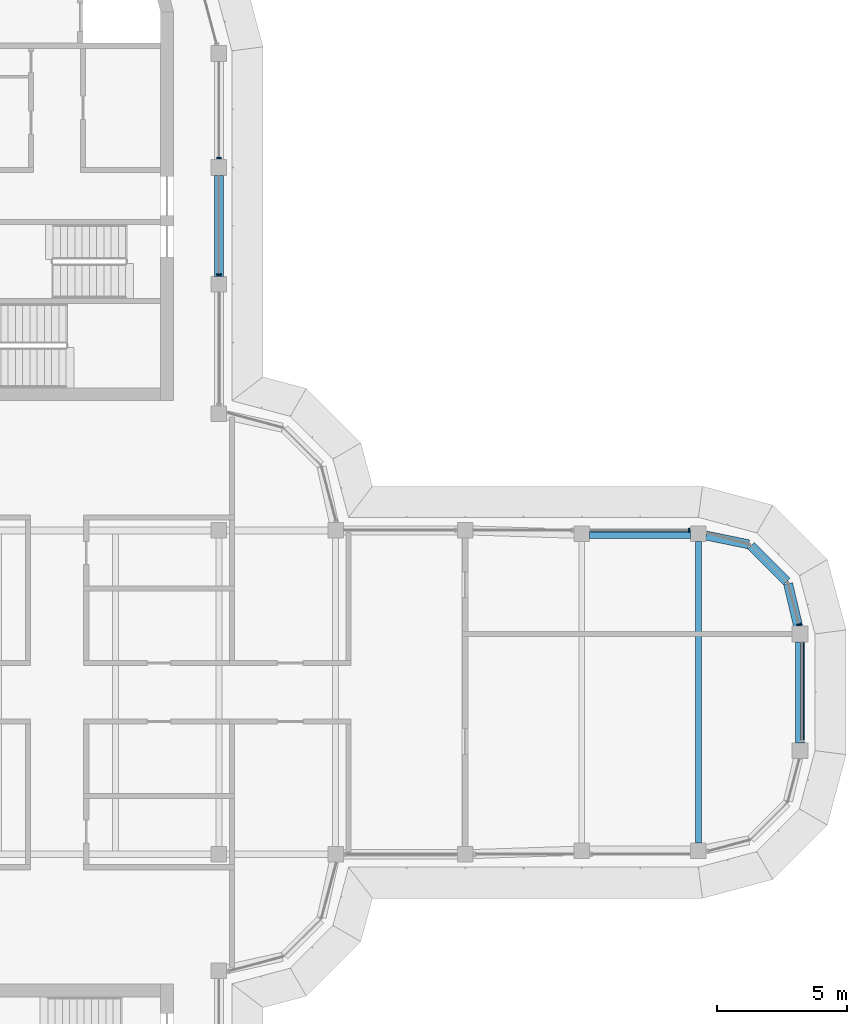
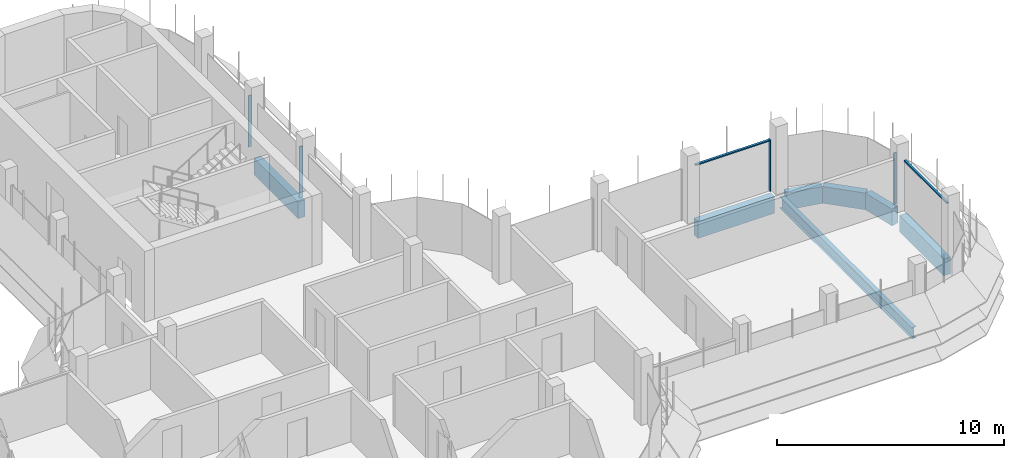
# One storey, part 9 of 19: 7 beams, 6 members, 4 elements without a shape of their own.
"""IFC4 building model written with IfcOpenShell, lengths in metres."""

from ifc_helpers import new_model, si_unit, direction, frame, origin, origin_2d, place, context, subcontext, project, spatial, polyline, rectangle, i_section, outline, extrude, source, transform, mapped, material, material_profile, profile_set, type_object, element, aggregate, save


model = new_model("IFC4")

# Units and contexts
model_context = context("Model", 3, precision=1e-05, world=origin(), true_north=direction((0.0, 1.0)))
body_context = subcontext(model_context, "Body", "Model", "MODEL_VIEW")
ifc_project = project(units=[si_unit("LENGTHUNIT", "METRE"), si_unit("AREAUNIT", "SQUARE_METRE"), si_unit("VOLUMEUNIT", "CUBIC_METRE"), si_unit("PLANEANGLEUNIT", "RADIAN"), si_unit("MASSUNIT", "GRAM", prefix="KILO")], contexts=[model_context])

# Site, building, storey
site_placement = place(None, origin())
site = spatial("IfcSite", under=ifc_project, at=site_placement, CompositionType="ELEMENT")
building_placement = place(site_placement, origin())
building = spatial("IfcBuilding", under=site, at=building_placement, Name="Zarbagh Exchange Tower", CompositionType="ELEMENT")
storey_placement = place(building_placement, frame((0.0, 0.0, 272.60009765625)))
storey = spatial("IfcBuildingStorey", under=building, at=storey_placement, Name="L67", CompositionType="ELEMENT", Elevation=272.60009765625)

# Beams
ifc_material_1 = material(Name="Steel ASTM A992 Gr 50", Category="steel")
ifc_material_profile_1 = material_profile(ifc_material_1, i_section(OverallWidth=0.228271484375, OverallDepth=0.607177734375, WebThickness=0.01123046875, FlangeThickness=0.017333984375, at=origin_2d()), Name="W24X76")
ifc_profile_set_1 = profile_set([ifc_material_profile_1], Name="Steel ASTM A992 Gr 50")
beam_type_1 = type_object("IfcBeamType", Name="Floor beam W24X76", PredefinedType="BEAM", material=ifc_profile_set_1)
beam_1_placement = place(storey_placement, frame((24.75, -5.81005859375, -0.45361328125), z_axis=(0.0, 1.0, 0.0), x_axis=(-1.0, 0.0, 0.0)))
element("IfcBeam", 1, at=beam_1_placement, inside=storey, type_object=beam_type_1, Name="Steel floor beam", PredefinedType="BEAM", context=body_context, shape_type="SweptSolid", body=[
    extrude(i_section(OverallWidth=0.228271484375, OverallDepth=0.607177734375, WebThickness=0.01123046875, FlangeThickness=0.017333984375, at=origin_2d()), origin(), (0.0, 0.0, 1.0), 11.6201171875),
])
ifc_material_2 = material(Name="Concrete C40/50", Category="concrete")
ifc_material_profile_2 = material_profile(ifc_material_2, rectangle(XDim=0.35009765625, YDim=0.89990234375, at=origin_2d()), Name="RC spandrel beam 350 x 900 C40/50")
ifc_profile_set_2 = profile_set([ifc_material_profile_2], Name="Concrete C40/50")
beam_type_2 = type_object("IfcBeamType", Name="RC spandrel beam 350 x 900 C40/50", PredefinedType="SPANDREL", material=ifc_profile_set_2)
for number, where, z_axis, x_axis, name in (
    (2, (6.25, 19.949951171875, -0.60009765625), (0.0, -1.0, 0.0), (1.0, 0.0, 0.0), "RC spandrel beam"),
    (3, (20.550048828125, 6.110107421875, -0.60009765625), (1.0, 0.0, 0.0), (0.0, 1.0, 0.0), "RC spandrel beam"),
):
    element("IfcBeam", number, at=place(storey_placement, frame(where, z_axis=z_axis, x_axis=x_axis)), inside=storey, type_object=beam_type_2, Name=name, PredefinedType="SPANDREL", context=body_context, shape_type="SweptSolid", body=[
        extrude(rectangle(XDim=0.35009765625, YDim=0.89990234375, at=origin_2d()), origin(), (0.0, 0.0, 1.0), 3.89990234375),
    ])
beam_2_placement = place(storey_placement, frame((25.043701171875, 6.04931640625, -0.60009765625), z_axis=(0.979349753205, -0.202173343684, 0.0), x_axis=(0.202173343684, 0.979349753205, 0.0)))
element("IfcBeam", 4, at=beam_2_placement, inside=storey, type_object=beam_type_2, Name="RC spandrel beam", PredefinedType="SPANDREL", context=body_context, shape_type="SweptSolid", body=[
    extrude(rectangle(XDim=0.35009765625, YDim=0.89990234375, at=origin_2d()), origin(), (0.0, 0.0, 1.0), 1.680908203125),
])
beam_3_placement = place(storey_placement, frame((26.7783203125, 5.661865234375, -0.60009765625), z_axis=(0.707106781187, -0.707106781187, 0.0), x_axis=(0.707106781187, 0.707106781187, 0.0)))
element("IfcBeam", 5, at=beam_3_placement, inside=storey, type_object=beam_type_2, Name="RC spandrel beam", PredefinedType="SPANDREL", context=body_context, shape_type="SweptSolid", body=[
    extrude(rectangle(XDim=0.35009765625, YDim=0.89990234375, at=origin_2d()), origin(), (0.0, 0.0, 1.0), 1.95947265625),
])
beam_4_placement = place(storey_placement, frame((28.210205078125, 4.19287109375, -0.60009765625), z_axis=(0.230258391117, -0.973129525459, 0.0), x_axis=(0.973129525459, 0.230258391117, 0.0)))
element("IfcBeam", 6, at=beam_4_placement, inside=storey, type_object=beam_type_2, Name="RC spandrel beam", PredefinedType="SPANDREL", context=body_context, shape_type="SweptSolid", body=[
    extrude(rectangle(XDim=0.35009765625, YDim=0.89990234375, at=origin_2d()), origin(), (0.0, 0.0, 1.0), 1.696533203125),
])
beam_5_placement = place(storey_placement, frame((28.669921875, 1.949951171875, -0.60009765625), z_axis=(0.0, -1.0, 0.0), x_axis=(1.0, 0.0, 0.0)))
element("IfcBeam", 7, at=beam_5_placement, inside=storey, type_object=beam_type_2, Name="RC spandrel beam", PredefinedType="SPANDREL", context=body_context, shape_type="SweptSolid", body=[
    extrude(rectangle(XDim=0.35009765625, YDim=0.89990234375, at=origin_2d()), origin(), (0.0, 0.0, 1.0), 3.89990234375),
])

# Curtain wall, member
ifc_material_3 = material(Name="Anodised aluminium frame and glazing", Category="aluminium")
curtain_wall_type = type_object("IfcCurtainWallType", Name="CWB Ribbon glazing, upper zones", PredefinedType="NOTDEFINED", material=ifc_material_3)
curtain_wall_1_placement = place(storey_placement, origin())
curtain_wall_1 = element("IfcCurtainWall", 8, at=curtain_wall_1_placement, inside=storey, type_object=curtain_wall_type, Name="CWB79 curtain wall", PredefinedType="NOTDEFINED")
ifc_material_4 = material(Name="Anodised aluminium frame", Category="aluminium")
member_type_1 = type_object("IfcMemberType", Name="MUB Mullion, anodised aluminium frame", PredefinedType="MULLION", material=ifc_material_4)
shared_shape_1 = source(origin(), body_context, "Body", "SweptSolid", [
    extrude(outline(polyline([(0.0, -0.080078125), (0.06005859375, -0.080078125), (0.06005859375, 0.080078125), (0.0, 0.080078125), (0.0, -0.080078125)])), origin(), (0.0, 0.0, 1.0), 2.75),
])
placement = place(storey_placement, origin())
member_1 = element("IfcMember", 9, at=placement, type_object=member_type_1, Name="CWB79 mullion 1.1", PredefinedType="MULLION", context=body_context, shape_type="MappedRepresentation", body=[
    mapped(shared_shape_1, transform((28.641357421875, 2.58984375, 0.0), x_axis=(-0.258824779902, 0.965924289636, 0.0), y_axis=(-0.965924289636, -0.258824779902, 0.0), z_axis=(0.0, 0.0, 1.0))),
])
aggregate(curtain_wall_1, [member_1])

curtain_wall_2_placement = place(storey_placement, origin())
curtain_wall_2 = element("IfcCurtainWall", 10, at=curtain_wall_2_placement, inside=storey, type_object=curtain_wall_type, Name="CWB82 curtain wall", PredefinedType="NOTDEFINED")
member_2 = element("IfcMember", 11, at=placement, type_object=member_type_1, Name="CWB82 mullion 1.1", PredefinedType="MULLION", context=body_context, shape_type="MappedRepresentation", body=[
    mapped(shared_shape_1, transform((24.409912109375, 6.25, 0.0), x_axis=(-1.0, 0.0, 0.0), y_axis=(0.0, -1.0, 0.0), z_axis=(0.0, 0.0, 1.0))),
])

# Curtain wall, members
curtain_wall_3_placement = place(storey_placement, origin())
curtain_wall_3 = element("IfcCurtainWall", 12, at=curtain_wall_3_placement, inside=storey, type_object=curtain_wall_type, Name="CWB67 curtain wall", PredefinedType="NOTDEFINED")
member_3 = element("IfcMember", 13, at=placement, type_object=member_type_1, Name="CWB67 mullion 2.1", PredefinedType="MULLION", context=body_context, shape_type="MappedRepresentation", body=[
    mapped(shared_shape_1, transform((6.25, 16.090087890625, 0.0), x_axis=(0.0, 1.0, 0.0), y_axis=(-1.0, 0.0, 0.0), z_axis=(0.0, 0.0, 1.0))),
])
member_4 = element("IfcMember", 14, at=placement, type_object=member_type_1, Name="CWB67 mullion 3.1", PredefinedType="MULLION", context=body_context, shape_type="MappedRepresentation", body=[
    mapped(shared_shape_1, transform((6.25, 20.590087890625, 0.0), x_axis=(0.0, 1.0, 0.0), y_axis=(-1.0, 0.0, 0.0), z_axis=(0.0, 0.0, 1.0))),
])
aggregate(curtain_wall_3, [member_3, member_4])

# Curtain wall, member
curtain_wall_4_placement = place(storey_placement, origin())
curtain_wall_4 = element("IfcCurtainWall", 15, at=curtain_wall_4_placement, inside=storey, type_object=curtain_wall_type, Name="CWB83 curtain wall", PredefinedType="NOTDEFINED")
member_type_2 = type_object("IfcMemberType", Name="TRB Transom, anodised aluminium frame", PredefinedType="USERDEFINED", material=ifc_material_4)
shared_shape_2 = source(origin(), body_context, "Body", "SweptSolid", [
    extrude(outline(polyline([(-0.06005859375, -0.06005859375), (0.0, -0.06005859375), (0.0, 0.06005859375), (-0.06005859375, 0.06005859375), (-0.06005859375, -0.06005859375)])), origin(), (0.0, 0.0, 1.0), 3.760009765625),
])
member_5 = element("IfcMember", 16, at=placement, type_object=member_type_2, Name="CWB83 transom 1.1", ObjectType="TRANSOM", PredefinedType="USERDEFINED", context=body_context, shape_type="MappedRepresentation", body=[
    mapped(shared_shape_2, transform((28.75, -1.849853515625, 2.75), x_axis=(0.0, 0.0, 1.0), y_axis=(1.0, 0.0, 0.0), z_axis=(0.0, 1.0, 0.0))),
])
aggregate(curtain_wall_4, [member_5])

# Member
member_6 = element("IfcMember", 17, at=placement, type_object=member_type_2, Name="CWB82 transom 1.1", ObjectType="TRANSOM", PredefinedType="USERDEFINED", context=body_context, shape_type="MappedRepresentation", body=[
    mapped(shared_shape_2, transform((24.349853515625, 6.25, 2.75), x_axis=(0.0, 0.0, 1.0), y_axis=(0.0, 1.0, 0.0), z_axis=(-1.0, 0.0, 0.0))),
])

aggregate(curtain_wall_2, [member_2, member_6])

save(model, "model.ifc")
